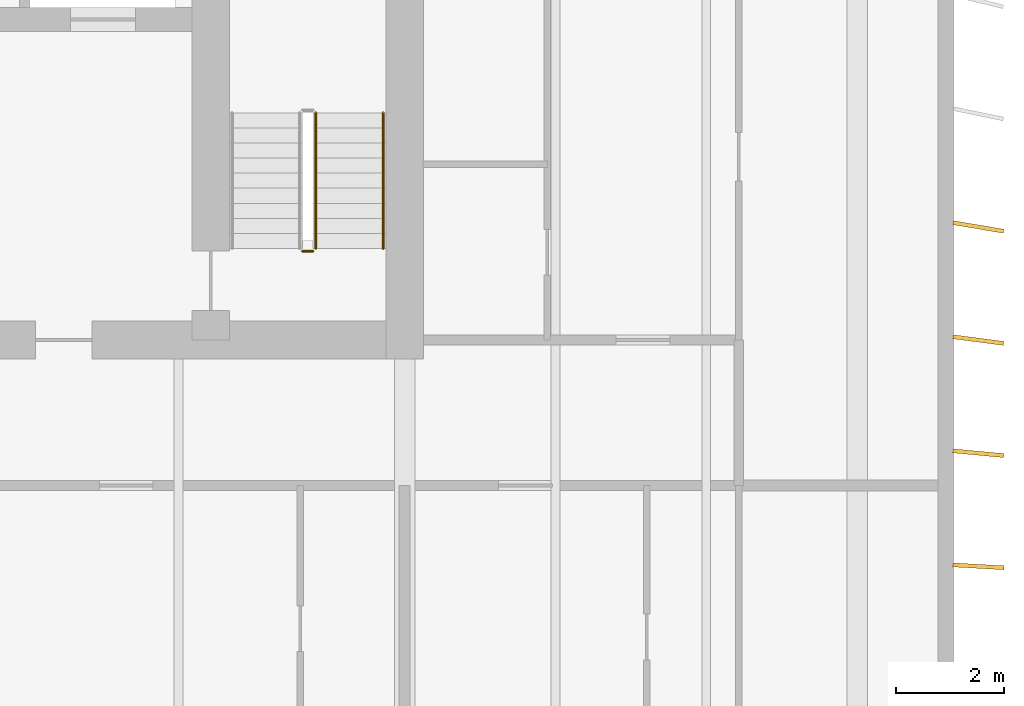
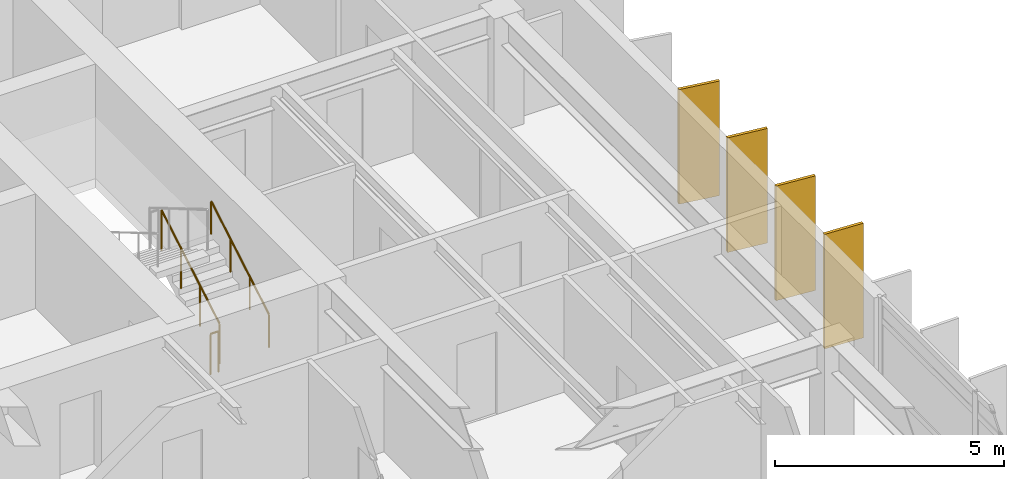
# One storey, part 17 of 19: 4 shading devices, 3 railings.
"""IFC4 building model written with IfcOpenShell, lengths in metres."""

from ifc_helpers import new_model, si_unit, direction, frame, origin, origin_2d, place, context, subcontext, project, spatial, rectangle, circle, extrude, material, material_profile, profile_set, type_object, element, save


model = new_model("IFC4")

# Units and contexts
model_context = context("Model", 3, precision=1e-05, world=origin(), true_north=direction((0.0, 1.0)))
body_context = subcontext(model_context, "Body", "Model", "MODEL_VIEW")
ifc_project = project(units=[si_unit("LENGTHUNIT", "METRE"), si_unit("AREAUNIT", "SQUARE_METRE"), si_unit("VOLUMEUNIT", "CUBIC_METRE"), si_unit("PLANEANGLEUNIT", "RADIAN"), si_unit("MASSUNIT", "GRAM", prefix="KILO")], contexts=[model_context])

# Site, building, storey
site_placement = place(None, origin())
site = spatial("IfcSite", under=ifc_project, at=site_placement, CompositionType="ELEMENT")
building_placement = place(site_placement, origin())
building = spatial("IfcBuilding", under=site, at=building_placement, Name="Caelmar Bay Residences", CompositionType="ELEMENT")
storey_placement = place(building_placement, frame((0.0, 0.0, 256.199951171875)))
storey = spatial("IfcBuildingStorey", under=building, at=storey_placement, Name="L72", CompositionType="ELEMENT", Elevation=256.199951171875)

# Railings
ifc_material_1 = material(Name="Painted galvanized steel stair guard 1100 mm", Category="steel")
railing_type_1 = type_object("IfcRailingType", Name="RL-GRD-1100", PredefinedType="GUARDRAIL", material=ifc_material_1)
railing_1_placement = place(storey_placement, frame((57.85009765625, 38.699951171875, 0.1650390625)))
element("IfcRailing", 1, at=railing_1_placement, inside=storey, type_object=railing_type_1, Name="L72 ST2 stair guard 1", PredefinedType="GUARDRAIL", context=body_context, shape_type="SweptSolid", body=[
    extrude(circle(Radius=0.02392578125, at=origin_2d()), frame((0.0, 0.0, 1.076171875), z_axis=(0.0, 0.86152411907, 0.507716645641), x_axis=(-1.0, 0.0, 0.0)), (0.0, 0.0, 1.0), 2.925048828125),
    extrude(circle(Radius=0.02099609375, at=origin_2d()), origin(), (0.0, 0.0, 1.0), 1.052001953125),
    extrude(circle(Radius=0.02099609375, at=origin_2d()), frame((0.0, 0.840087890625, 0.4951171875)), (0.0, 0.0, 1.0), 1.052001953125),
    extrude(circle(Radius=0.02099609375, at=origin_2d()), frame((0.0, 1.679931640625, 0.989990234375)), (0.0, 0.0, 1.0), 1.052001953125),
    extrude(circle(Radius=0.02099609375, at=origin_2d()), frame((0.0, 2.52001953125, 1.485107421875)), (0.0, 0.0, 1.0), 1.052001953125),
])
railing_2_placement = place(storey_placement, frame((57.800048828125, 38.64990234375, 0.0)))
element("IfcRailing", 2, at=railing_2_placement, inside=storey, type_object=railing_type_1, Name="L72 ST2 stair guard 4", PredefinedType="GUARDRAIL", context=body_context, shape_type="SweptSolid", body=[
    extrude(circle(Radius=0.02392578125, at=origin_2d()), frame((0.0, 0.0, 1.076171875), z_axis=(-1.0, 0.0, 0.0), x_axis=(0.0, -1.0, 0.0)), (0.0, 0.0, 1.0), 0.199951171875),
    extrude(circle(Radius=0.02099609375, at=origin_2d()), origin(), (0.0, 0.0, 1.0), 1.052001953125),
    extrude(circle(Radius=0.02099609375, at=origin_2d()), frame((-0.199951171875, 0.0, 0.0)), (0.0, 0.0, 1.0), 1.052001953125),
])
ifc_material_2 = material(Name="Brushed bronze stainless-steel tubular handrail 900 mm", Category="steel")
railing_type_2 = type_object("IfcRailingType", Name="RL-HND-900", PredefinedType="HANDRAIL", material=ifc_material_2)
railing_3_placement = place(storey_placement, frame((59.10009765625, 38.699951171875, 0.1650390625)))
element("IfcRailing", 3, at=railing_3_placement, inside=storey, type_object=railing_type_2, Name="L72 ST2 stair handrail 1", PredefinedType="HANDRAIL", context=body_context, shape_type="SweptSolid", body=[
    extrude(circle(Radius=0.02392578125, at=origin_2d()), frame((0.0, 0.0, 0.8759765625), z_axis=(0.0, 0.86152411907, 0.507716645641), x_axis=(-1.0, 0.0, 0.0)), (0.0, 0.0, 1.0), 2.925048828125),
    extrude(circle(Radius=0.02099609375, at=origin_2d()), origin(), (0.0, 0.0, 1.0), 0.851806640625),
    extrude(circle(Radius=0.02099609375, at=origin_2d()), frame((0.0, 0.840087890625, 0.4951171875)), (0.0, 0.0, 1.0), 0.851806640625),
    extrude(circle(Radius=0.02099609375, at=origin_2d()), frame((0.0, 1.679931640625, 0.989990234375)), (0.0, 0.0, 1.0), 0.851806640625),
    extrude(circle(Radius=0.02099609375, at=origin_2d()), frame((0.0, 2.52001953125, 1.485107421875)), (0.0, 0.0, 1.0), 0.851806640625),
])

# Shading devices
ifc_material_3 = material(Name="Anodised architectural bronze aluminium 6063-T6", Category="aluminium")
ifc_material_profile = material_profile(ifc_material_3, rectangle(XDim=0.074951171875, YDim=0.949951171875, at=origin_2d()), Name="BRONZE-FIN-75X950")
ifc_profile_set = profile_set([ifc_material_profile], Name="Anodised architectural bronze aluminium 6063-T6")
shading_device_type = type_object("IfcShadingDeviceType", Name="SHD-FIN-950", PredefinedType="USERDEFINED", material=ifc_profile_set)
for number, where, z_axis, x_axis, name in (
    (4, (70.14990234375, 32.800048828125, 0.0), (0.0, 0.0, 1.0), (0.055821504993, 0.998440764182, 0.0), "L72 East Bronze Solar Fin 10"),
    (5, (70.14990234375, 34.89990234375, 0.0), (0.0, 0.0, 1.0), (0.092891934994, 0.995676196569, 0.0), "L72 East Bronze Solar Fin 11"),
    (6, (70.14990234375, 37.0, 0.0), (0.0, 0.0, 1.0), (0.130007055036, 0.99151306882, 0.0), "L72 East Bronze Solar Fin 12"),
    (7, (70.14990234375, 39.10009765625, 0.0), (0.0, 0.0, 1.0), (0.166768746716, 0.985996037071, 0.0), "L72 East Bronze Solar Fin 13"),
):
    element("IfcShadingDevice", number, at=place(storey_placement, frame(where, z_axis=z_axis, x_axis=x_axis)), inside=storey, type_object=shading_device_type, Name=name, ObjectType="FIN", PredefinedType="USERDEFINED", context=body_context, shape_type="SweptSolid", body=[
        extrude(rectangle(XDim=0.074951171875, YDim=0.949951171875, at=origin_2d()), origin(), (0.0, 0.0, 1.0), 3.050048828125),
    ])

save(model, "model.ifc")
